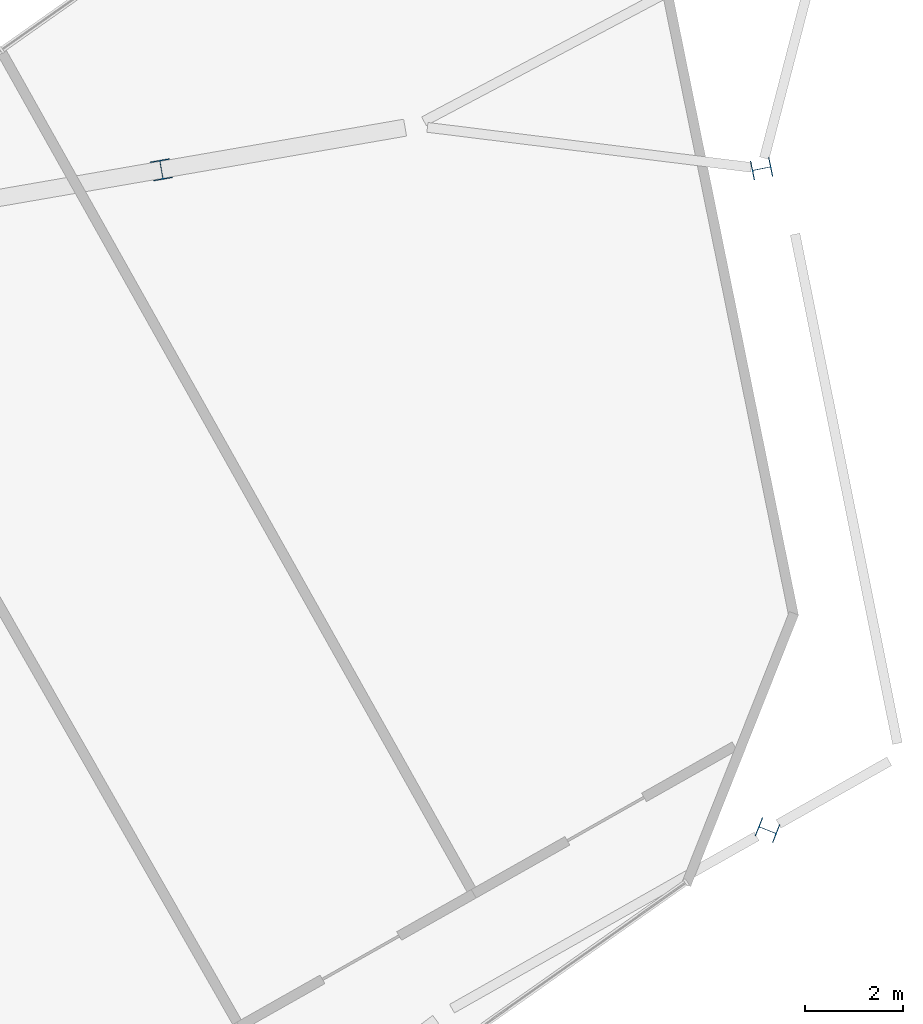
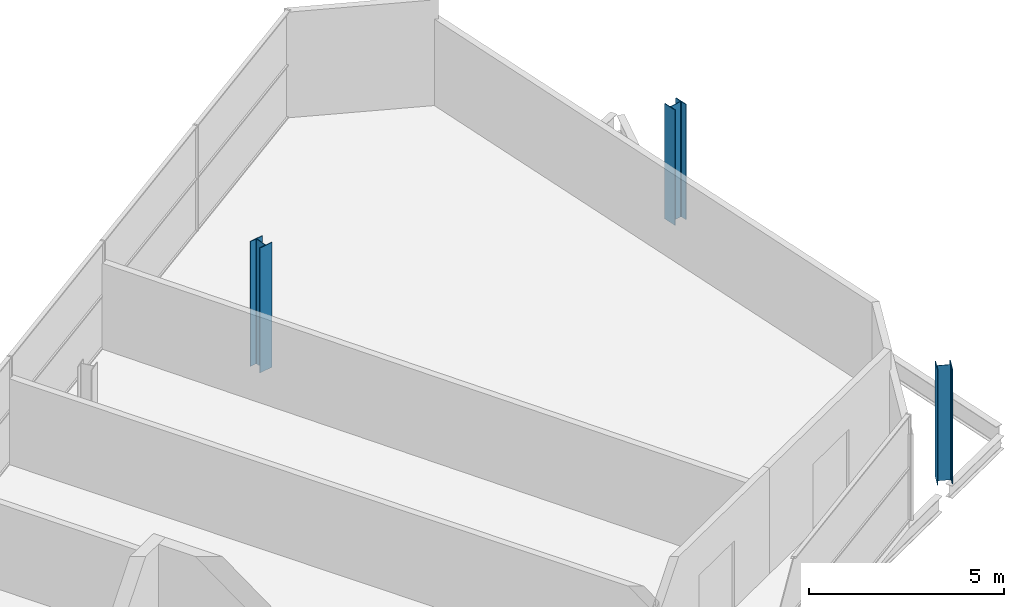
# One storey, part 2 of 11: 3 columns.
"""IFC4 building model written with IfcOpenShell, lengths in metres."""

from ifc_helpers import new_model, si_unit, direction, frame, origin, origin_2d, place, context, subcontext, project, spatial, i_section, extrude, material, material_profile, profile_set, type_object, element, save


model = new_model("IFC4")

# Units and contexts
model_context = context("Model", 3, precision=1e-05, world=origin(), true_north=direction((0.0, 1.0)))
body_context = subcontext(model_context, "Body", "Model", "MODEL_VIEW")
ifc_project = project(units=[si_unit("LENGTHUNIT", "METRE"), si_unit("AREAUNIT", "SQUARE_METRE"), si_unit("VOLUMEUNIT", "CUBIC_METRE"), si_unit("PLANEANGLEUNIT", "RADIAN"), si_unit("MASSUNIT", "GRAM", prefix="KILO")], contexts=[model_context])

# Site, building, storey
site_placement = place(None, origin())
site = spatial("IfcSite", under=ifc_project, at=site_placement, CompositionType="ELEMENT")
building_placement = place(site_placement, origin())
building = spatial("IfcBuilding", under=site, at=building_placement, Name="Binnacle Exchange Tower", CompositionType="ELEMENT")
storey_placement = place(building_placement, frame((0.0, 0.0, 361.300048828125)))
storey = spatial("IfcBuildingStorey", under=building, at=storey_placement, Name="L83", CompositionType="ELEMENT", Elevation=361.300048828125)

# Columns
ifc_material = material(Name="Steel S355 (SHN355)", Category="steel")
ifc_material_profile = material_profile(ifc_material, i_section(OverallWidth=0.39990234375, OverallDepth=0.39990234375, WebThickness=0.012939453125, FlangeThickness=0.02099609375, FilletRadius=0.02197265625, at=origin_2d()), Name="H 400x400x13x21")
ifc_profile_set = profile_set([ifc_material_profile], Name="Steel S355 (SHN355)")
column_type = type_object("IfcColumnType", Name="H 400x400x13x21", PredefinedType="COLUMN", material=ifc_profile_set)
for number, where, z_axis, x_axis, name in (
    (1, (-10.760009765625, 46.070556640625, 0.0), (0.0, 0.0, 1.0), (0.369033125724, 0.929416242659, 0.0), "S:COL:MC31:L83"),
    (2, (-10.88232421875, 59.5869140625, 0.0), (0.0, 0.0, 1.0), (-0.198666664019, 0.98006711842, 0.0), "S:COL:MC34:L83"),
):
    element("IfcColumn", number, at=place(storey_placement, frame(where, z_axis=z_axis, x_axis=x_axis)), inside=storey, type_object=column_type, Name=name, PredefinedType="COLUMN", context=body_context, shape_type="SweptSolid", body=[
        extrude(i_section(OverallWidth=0.39990234375, OverallDepth=0.39990234375, WebThickness=0.012939453125, FlangeThickness=0.02099609375, FilletRadius=0.02197265625, at=origin_2d()), origin(), (0.0, 0.0, 1.0), 3.599853515625),
    ])
column_placement = place(storey_placement, frame((-23.1455078125, 59.5634765625, -0.300048828125), z_axis=(0.0, 0.0, 1.0), x_axis=(0.985345447257, 0.170570658584, 0.0)))
element("IfcColumn", 3, at=column_placement, inside=storey, type_object=column_type, Name="S:COL:MC25:L83", PredefinedType="COLUMN", context=body_context, shape_type="SweptSolid", body=[
    extrude(i_section(OverallWidth=0.39990234375, OverallDepth=0.39990234375, WebThickness=0.012939453125, FlangeThickness=0.02099609375, FilletRadius=0.02197265625, at=origin_2d()), origin(), (0.0, 0.0, 1.0), 3.89990234375),
])

save(model, "model.ifc")
